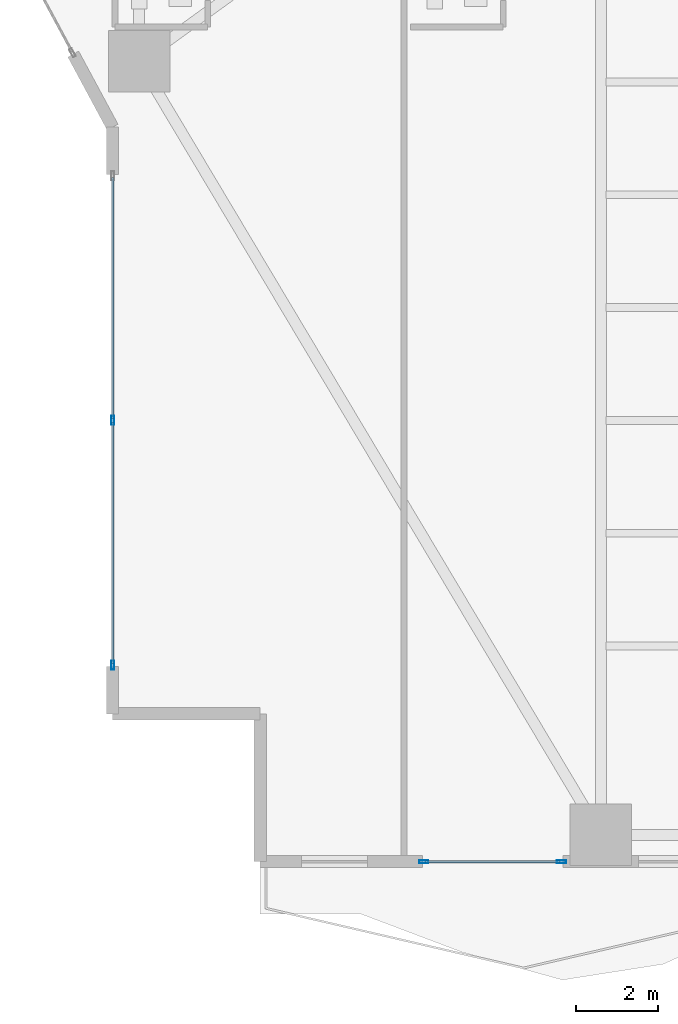
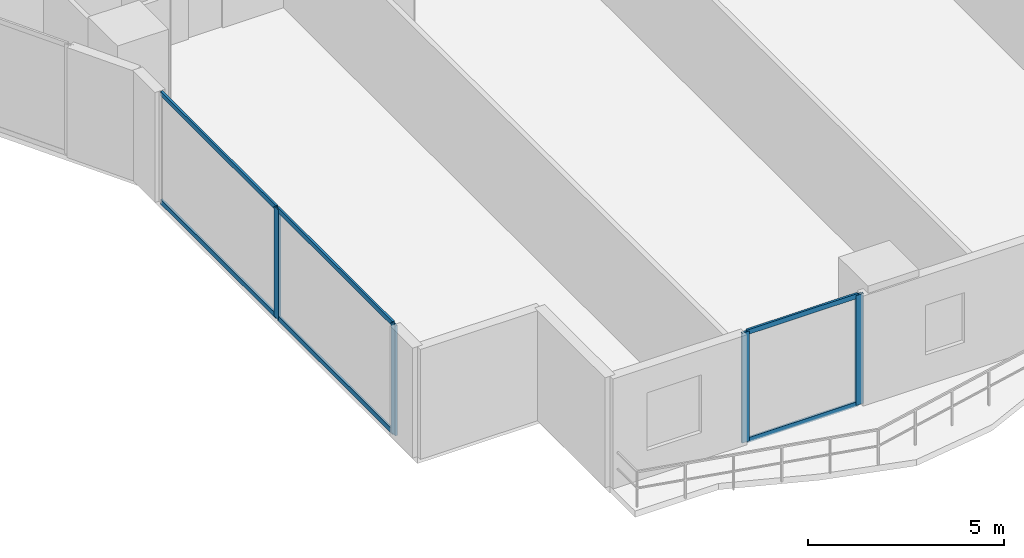
# One storey, part 2 of 28: 10 members, 2 elements without a shape of their own.
"""IFC4 building model written with IfcOpenShell, lengths in metres."""

from ifc_helpers import new_model, si_unit, direction, frame, origin, origin_2d, place, context, subcontext, project, spatial, hollow_rectangle, extrude, material, layer, layer_set, material_profile, profile_set, type_object, element, aggregate, save


model = new_model("IFC4")

# Units and contexts
model_context = context("Model", 3, precision=1e-05, world=origin(), true_north=direction((0.0, 1.0)))
body_context = subcontext(model_context, "Body", "Model", "MODEL_VIEW")
ifc_project = project(units=[si_unit("LENGTHUNIT", "METRE"), si_unit("AREAUNIT", "SQUARE_METRE"), si_unit("VOLUMEUNIT", "CUBIC_METRE"), si_unit("PLANEANGLEUNIT", "RADIAN"), si_unit("MASSUNIT", "GRAM", prefix="KILO")], contexts=[model_context])

# Site, building, storey
site_placement = place(None, origin())
site = spatial("IfcSite", under=ifc_project, at=site_placement, CompositionType="ELEMENT")
building_placement = place(site_placement, origin())
building = spatial("IfcBuilding", under=site, at=building_placement, Name="Zuhayl Quay Hotel", CompositionType="ELEMENT")
storey_placement = place(building_placement, frame((0.0, 0.0, 56.800048828125)))
storey = spatial("IfcBuildingStorey", under=building, at=storey_placement, Name="L13", CompositionType="ELEMENT", Elevation=56.800048828125)

# Curtain wall, members
ifc_material_1 = material(Name="Anodised Aluminium 6063-T6", Category="aluminium")
ifc_layer = layer(ifc_material_1, 0.18994140625, Name="Anodised Aluminium 6063-T6", Category="aluminium")
ifc_layer_set = layer_set([ifc_layer], Name="Anodised Aluminium 6063-T6")
curtain_wall_type = type_object("IfcCurtainWallType", Name="CW_SYS_Z1", PredefinedType="USERDEFINED", material=ifc_layer_set)
curtain_wall_1_placement = place(storey_placement, origin())
curtain_wall_1 = element("IfcCurtainWall", 1, at=curtain_wall_1_placement, inside=storey, type_object=curtain_wall_type, Name="L13 Curtain Wall ENV_L13_E02_CW1", ObjectType="UNITISED CURTAIN WALL", PredefinedType="USERDEFINED")
ifc_material_2 = material(Name="Black-anodised aluminium 6063-T6", Category="aluminium")
ifc_material_profile_1 = material_profile(ifc_material_2, hollow_rectangle(XDim=0.074951171875, YDim=0.219970703125, WallThickness=0.00390625, at=origin_2d()), Name="ALU220X75")
ifc_profile_set_1 = profile_set([ifc_material_profile_1], Name="Black-anodised aluminium 6063-T6")
member_type_1 = type_object("IfcMemberType", Name="MB_CW_MUL_220", PredefinedType="MULLION", material=ifc_profile_set_1)
member_1_placement = place(storey_placement, frame((-25.699951171875, -18.3125, 0.0), z_axis=(0.0, 0.0, 1.0), x_axis=(-1.0, 0.0, 0.0)))
member_1 = element("IfcMember", 2, at=member_1_placement, type_object=member_type_1, Name="CW-Z1 mullion 1", PredefinedType="MULLION", context=body_context, shape_type="SweptSolid", body=[
    extrude(hollow_rectangle(XDim=0.074951171875, YDim=0.219970703125, WallThickness=0.00390625, at=origin_2d()), origin(), (0.0, 0.0, 1.0), 3.429931640625),
])
member_2_placement = place(storey_placement, frame((-25.699951171875, -12.35009765625, 0.0), z_axis=(0.0, 0.0, 1.0), x_axis=(-1.0, 0.0, 0.0)))
member_2 = element("IfcMember", 3, at=member_2_placement, type_object=member_type_1, Name="CW-Z1 mullion 2", PredefinedType="MULLION", context=body_context, shape_type="SweptSolid", body=[
    extrude(hollow_rectangle(XDim=0.074951171875, YDim=0.219970703125, WallThickness=0.00390625, at=origin_2d()), origin(), (0.0, 0.0, 1.0), 3.429931640625),
])

curtain_wall_2_placement = place(storey_placement, origin())
curtain_wall_2 = element("IfcCurtainWall", 4, at=curtain_wall_2_placement, inside=storey, type_object=curtain_wall_type, Name="L13 Curtain Wall ENV_L13_S_CW5", ObjectType="UNITISED CURTAIN WALL", PredefinedType="USERDEFINED")
member_3_placement = place(storey_placement, frame((-14.757568359375, -23.10009765625, 0.0), z_axis=(0.0, 0.0, 1.0), x_axis=(0.0, -1.0, 0.0)))
member_3 = element("IfcMember", 5, at=member_3_placement, type_object=member_type_1, Name="CW-Z1 mullion 1", PredefinedType="MULLION", context=body_context, shape_type="SweptSolid", body=[
    extrude(hollow_rectangle(XDim=0.074951171875, YDim=0.219970703125, WallThickness=0.00390625, at=origin_2d()), origin(), (0.0, 0.0, 1.0), 3.429931640625),
])
member_4_placement = place(storey_placement, frame((-18.112548828125, -23.10009765625, 0.0), z_axis=(0.0, 0.0, 1.0), x_axis=(0.0, -1.0, 0.0)))
member_4 = element("IfcMember", 6, at=member_4_placement, type_object=member_type_1, Name="CW-Z1 mullion 2", PredefinedType="MULLION", context=body_context, shape_type="SweptSolid", body=[
    extrude(hollow_rectangle(XDim=0.074951171875, YDim=0.219970703125, WallThickness=0.00390625, at=origin_2d()), origin(), (0.0, 0.0, 1.0), 3.429931640625),
])

# Member
ifc_material_profile_2 = material_profile(ifc_material_2, hollow_rectangle(XDim=0.06005859375, YDim=0.14990234375, WallThickness=0.00341796875, at=origin_2d()), Name="ALU150X60")
ifc_profile_set_2 = profile_set([ifc_material_profile_2], Name="Black-anodised aluminium 6063-T6")
member_type_2 = type_object("IfcMemberType", Name="MB_CW_TRN_150", PredefinedType="USERDEFINED", material=ifc_profile_set_2)
member_5_placement = place(storey_placement, frame((-25.699951171875, -18.27490234375, 0.030029296875), z_axis=(0.0, 1.0, 0.0), x_axis=(-1.0, 0.0, 0.0)))
member_5 = element("IfcMember", 7, at=member_5_placement, type_object=member_type_2, Name="CW-Z1 transom 1.1", ObjectType="TRANSOM", PredefinedType="USERDEFINED", context=body_context, shape_type="SweptSolid", body=[
    extrude(hollow_rectangle(XDim=0.06005859375, YDim=0.14990234375, WallThickness=0.00341796875, at=origin_2d()), origin(), (0.0, 0.0, 1.0), 5.887451171875),
])

member_6_placement = place(storey_placement, frame((-25.699951171875, -18.27490234375, 3.39990234375), z_axis=(0.0, 1.0, 0.0), x_axis=(-1.0, 0.0, 0.0)))
member_6 = element("IfcMember", 8, at=member_6_placement, type_object=member_type_2, Name="CW-Z1 transom 1.2", ObjectType="TRANSOM", PredefinedType="USERDEFINED", context=body_context, shape_type="SweptSolid", body=[
    extrude(hollow_rectangle(XDim=0.06005859375, YDim=0.14990234375, WallThickness=0.00341796875, at=origin_2d()), origin(), (0.0, 0.0, 1.0), 5.887451171875),
])

member_7_placement = place(storey_placement, frame((-25.699951171875, -12.3125, 0.030029296875), z_axis=(0.0, 1.0, 0.0), x_axis=(-1.0, 0.0, 0.0)))
member_7 = element("IfcMember", 9, at=member_7_placement, type_object=member_type_2, Name="CW-Z1 transom 2.1", ObjectType="TRANSOM", PredefinedType="USERDEFINED", context=body_context, shape_type="SweptSolid", body=[
    extrude(hollow_rectangle(XDim=0.06005859375, YDim=0.14990234375, WallThickness=0.00341796875, at=origin_2d()), origin(), (0.0, 0.0, 1.0), 5.887451171875),
])

member_8_placement = place(storey_placement, frame((-25.699951171875, -12.3125, 3.39990234375), z_axis=(0.0, 1.0, 0.0), x_axis=(-1.0, 0.0, 0.0)))
member_8 = element("IfcMember", 10, at=member_8_placement, type_object=member_type_2, Name="CW-Z1 transom 2.2", ObjectType="TRANSOM", PredefinedType="USERDEFINED", context=body_context, shape_type="SweptSolid", body=[
    extrude(hollow_rectangle(XDim=0.06005859375, YDim=0.14990234375, WallThickness=0.00341796875, at=origin_2d()), origin(), (0.0, 0.0, 1.0), 5.887451171875),
])

aggregate(curtain_wall_1, [member_1, member_2, member_5, member_6, member_7, member_8])

member_9_placement = place(storey_placement, frame((-14.794921875, -23.10009765625, 0.030029296875), z_axis=(-1.0, 0.0, 0.0), x_axis=(0.0, -1.0, 0.0)))
member_9 = element("IfcMember", 11, at=member_9_placement, type_object=member_type_2, Name="CW-Z1 transom 1.1", ObjectType="TRANSOM", PredefinedType="USERDEFINED", context=body_context, shape_type="SweptSolid", body=[
    extrude(hollow_rectangle(XDim=0.06005859375, YDim=0.14990234375, WallThickness=0.00341796875, at=origin_2d()), origin(), (0.0, 0.0, 1.0), 3.280029296875),
])

member_10_placement = place(storey_placement, frame((-14.794921875, -23.10009765625, 3.39990234375), z_axis=(-1.0, 0.0, 0.0), x_axis=(0.0, -1.0, 0.0)))
member_10 = element("IfcMember", 12, at=member_10_placement, type_object=member_type_2, Name="CW-Z1 transom 1.2", ObjectType="TRANSOM", PredefinedType="USERDEFINED", context=body_context, shape_type="SweptSolid", body=[
    extrude(hollow_rectangle(XDim=0.06005859375, YDim=0.14990234375, WallThickness=0.00341796875, at=origin_2d()), origin(), (0.0, 0.0, 1.0), 3.280029296875),
])

aggregate(curtain_wall_2, [member_3, member_4, member_9, member_10])

save(model, "model.ifc")
